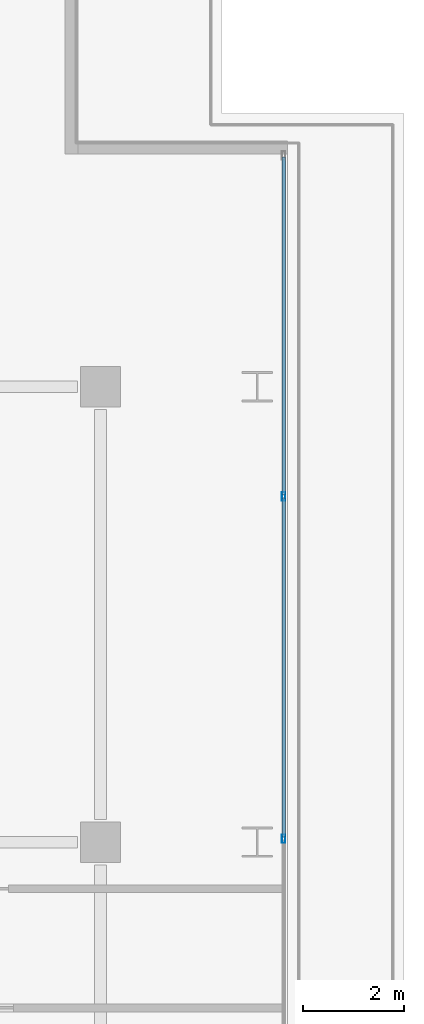
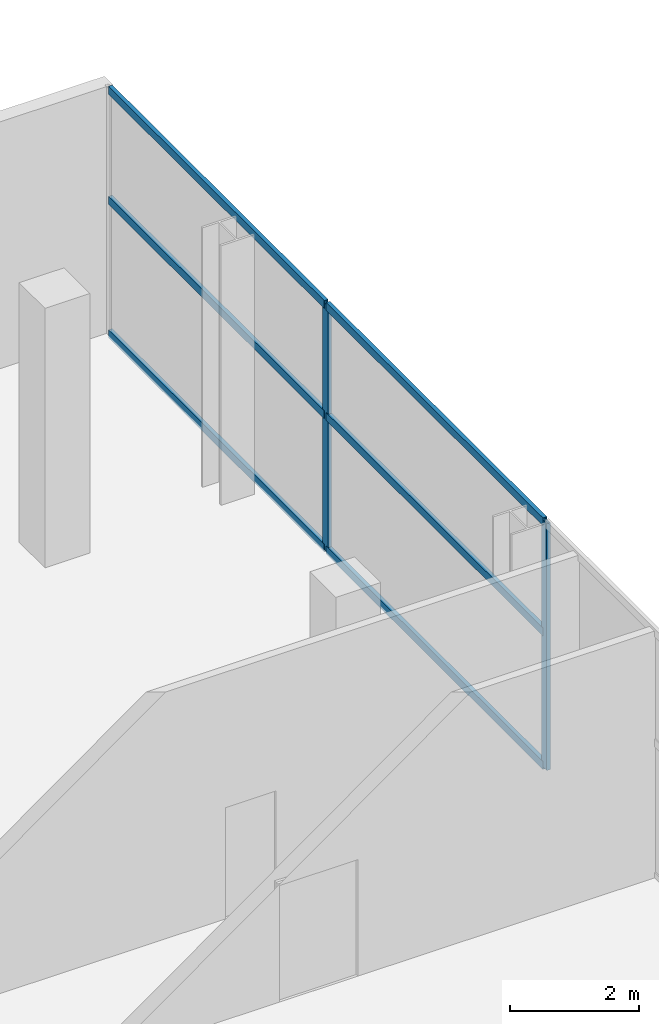
# One storey, part 21 of 31: 8 members, 1 element without a shape of its own.
"""IFC4 building model written with IfcOpenShell, lengths in metres."""

from ifc_helpers import new_model, si_unit, direction, frame, origin, origin_2d, place, context, subcontext, project, spatial, hollow_rectangle, extrude, material, layer, layer_set, material_profile, profile_set, type_object, element, aggregate, save


model = new_model("IFC4")

# Units and contexts
model_context = context("Model", 3, precision=1e-05, world=origin(), true_north=direction((0.0, 1.0)))
body_context = subcontext(model_context, "Body", "Model", "MODEL_VIEW")
ifc_project = project(units=[si_unit("LENGTHUNIT", "METRE"), si_unit("AREAUNIT", "SQUARE_METRE"), si_unit("VOLUMEUNIT", "CUBIC_METRE"), si_unit("PLANEANGLEUNIT", "RADIAN"), si_unit("MASSUNIT", "GRAM", prefix="KILO")], contexts=[model_context])

# Site, building, storey
site_placement = place(None, origin())
site = spatial("IfcSite", under=ifc_project, at=site_placement, CompositionType="ELEMENT")
building_placement = place(site_placement, origin())
building = spatial("IfcBuilding", under=site, at=building_placement, Name="Maruvema Waterfront Hotel and Observation Tower", CompositionType="ELEMENT")
storey_placement = place(building_placement, frame((0.0, 0.0, 122.5)))
storey = spatial("IfcBuildingStorey", under=building, at=storey_placement, Name="L29", CompositionType="ELEMENT", Elevation=122.5)

# Curtain wall, members
ifc_material_1 = material(Name="Anodised bronze aluminium and solar-control low-E IGU", Category="aluminium")
ifc_layer = layer(ifc_material_1, 0.159912109375, Name="Zone 2 Amber Inner Thermal Curtain Wall System CW-03")
ifc_layer_set = layer_set([ifc_layer], Name="Anodised bronze aluminium and solar-control low-E IGU")
curtain_wall_type = type_object("IfcCurtainWallType", Name="Zone 2 Amber Inner Thermal Curtain Wall System CW-03", PredefinedType="USERDEFINED", material=ifc_layer_set)
curtain_wall_placement = place(storey_placement, origin())
curtain_wall = element("IfcCurtainWall", 1, at=curtain_wall_placement, inside=storey, type_object=curtain_wall_type, Name="L29 Curtain Wall CW-L29-E", ObjectType="UNITISED CURTAIN WALL", PredefinedType="USERDEFINED")
ifc_material_2 = material(Name="Anodised architectural bronze aluminium", Category="aluminium")
ifc_material_profile_1 = material_profile(ifc_material_2, hollow_rectangle(XDim=0.070068359375, YDim=0.14990234375, WallThickness=0.00390625, at=origin_2d()), Name="ALU-T70x150")
ifc_profile_set_1 = profile_set([ifc_material_profile_1], Name="Anodised architectural bronze aluminium")
member_type_1 = type_object("IfcMemberType", Name="Curtain Wall Horizontal Transom ALU-T70x150", PredefinedType="USERDEFINED", material=ifc_profile_set_1)
member_1_placement = place(storey_placement, frame((62.419921875, 36.0966796875, 0.030029296875), z_axis=(0.0, 1.0, 0.0), x_axis=(-1.0, 0.0, 0.0)))
member_1 = element("IfcMember", 2, at=member_1_placement, type_object=member_type_1, Name="CW-03 transom 5.1", ObjectType="TRANSOM", PredefinedType="USERDEFINED", context=body_context, shape_type="SweptSolid", body=[
    extrude(hollow_rectangle(XDim=0.070068359375, YDim=0.14990234375, WallThickness=0.00390625, at=origin_2d()), origin(), (0.0, 0.0, 1.0), 6.70654296875),
])
member_2_placement = place(storey_placement, frame((62.419921875, 36.0966796875, 2.550048828125), z_axis=(0.0, 1.0, 0.0), x_axis=(-1.0, 0.0, 0.0)))
member_2 = element("IfcMember", 3, at=member_2_placement, type_object=member_type_1, Name="CW-03 transom 5.2", ObjectType="TRANSOM", PredefinedType="USERDEFINED", context=body_context, shape_type="SweptSolid", body=[
    extrude(hollow_rectangle(XDim=0.070068359375, YDim=0.14990234375, WallThickness=0.00390625, at=origin_2d()), origin(), (0.0, 0.0, 1.0), 6.70654296875),
])
member_3_placement = place(storey_placement, frame((62.419921875, 36.0966796875, 4.6298828125), z_axis=(0.0, 1.0, 0.0), x_axis=(-1.0, 0.0, 0.0)))
member_3 = element("IfcMember", 4, at=member_3_placement, type_object=member_type_1, Name="CW-03 transom 5.3", ObjectType="TRANSOM", PredefinedType="USERDEFINED", context=body_context, shape_type="SweptSolid", body=[
    extrude(hollow_rectangle(XDim=0.070068359375, YDim=0.14990234375, WallThickness=0.00390625, at=origin_2d()), origin(), (0.0, 0.0, 1.0), 6.70654296875),
])
member_4_placement = place(storey_placement, frame((62.419921875, 42.86328125, 0.030029296875), z_axis=(0.0, 1.0, 0.0), x_axis=(-1.0, 0.0, 0.0)))
member_4 = element("IfcMember", 5, at=member_4_placement, type_object=member_type_1, Name="CW-03 transom 6.1", ObjectType="TRANSOM", PredefinedType="USERDEFINED", context=body_context, shape_type="SweptSolid", body=[
    extrude(hollow_rectangle(XDim=0.070068359375, YDim=0.14990234375, WallThickness=0.00390625, at=origin_2d()), origin(), (0.0, 0.0, 1.0), 6.6767578125),
])
member_5_placement = place(storey_placement, frame((62.419921875, 42.86328125, 2.550048828125), z_axis=(0.0, 1.0, 0.0), x_axis=(-1.0, 0.0, 0.0)))
member_5 = element("IfcMember", 6, at=member_5_placement, type_object=member_type_1, Name="CW-03 transom 6.2", ObjectType="TRANSOM", PredefinedType="USERDEFINED", context=body_context, shape_type="SweptSolid", body=[
    extrude(hollow_rectangle(XDim=0.070068359375, YDim=0.14990234375, WallThickness=0.00390625, at=origin_2d()), origin(), (0.0, 0.0, 1.0), 6.6767578125),
])
member_6_placement = place(storey_placement, frame((62.419921875, 42.86328125, 4.6298828125), z_axis=(0.0, 1.0, 0.0), x_axis=(-1.0, 0.0, 0.0)))
member_6 = element("IfcMember", 7, at=member_6_placement, type_object=member_type_1, Name="CW-03 transom 6.3", ObjectType="TRANSOM", PredefinedType="USERDEFINED", context=body_context, shape_type="SweptSolid", body=[
    extrude(hollow_rectangle(XDim=0.070068359375, YDim=0.14990234375, WallThickness=0.00390625, at=origin_2d()), origin(), (0.0, 0.0, 1.0), 6.6767578125),
])
ifc_material_3 = material(Name="Anodised architectural bronze aluminium", Category="aluminium")
ifc_material_profile_2 = material_profile(ifc_material_3, hollow_rectangle(XDim=0.06494140625, YDim=0.1650390625, WallThickness=0.00390625, at=origin_2d()), Name="ALU-M65x165")
ifc_profile_set_2 = profile_set([ifc_material_profile_2], Name="Anodised architectural bronze aluminium")
member_type_2 = type_object("IfcMemberType", Name="Curtain Wall Primary Mullion ALU-M65x165", PredefinedType="MULLION", material=ifc_profile_set_2)
member_7_placement = place(storey_placement, frame((62.419921875, 36.066650390625, 0.0), z_axis=(0.0, 0.0, 1.0), x_axis=(-1.0, 0.0, 0.0)))
member_7 = element("IfcMember", 8, at=member_7_placement, type_object=member_type_2, Name="CW-03 mullion 5", PredefinedType="MULLION", context=body_context, shape_type="SweptSolid", body=[
    extrude(hollow_rectangle(XDim=0.06494140625, YDim=0.1650390625, WallThickness=0.00390625, at=origin_2d()), origin(), (0.0, 0.0, 1.0), 4.659912109375),
])
member_8_placement = place(storey_placement, frame((62.419921875, 42.833251953125, 0.0), z_axis=(0.0, 0.0, 1.0), x_axis=(-1.0, 0.0, 0.0)))
member_8 = element("IfcMember", 9, at=member_8_placement, type_object=member_type_2, Name="CW-03 mullion 6", PredefinedType="MULLION", context=body_context, shape_type="SweptSolid", body=[
    extrude(hollow_rectangle(XDim=0.06494140625, YDim=0.1650390625, WallThickness=0.00390625, at=origin_2d()), origin(), (0.0, 0.0, 1.0), 4.659912109375),
])
aggregate(curtain_wall, [member_7, member_8, member_1, member_2, member_3, member_4, member_5, member_6])

save(model, "model.ifc")
